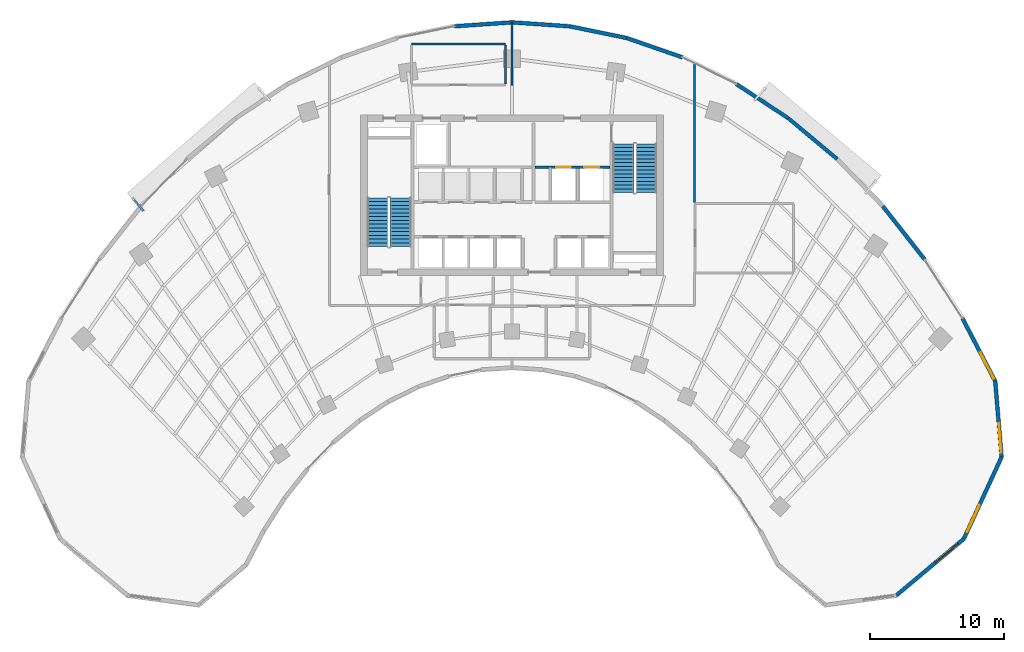
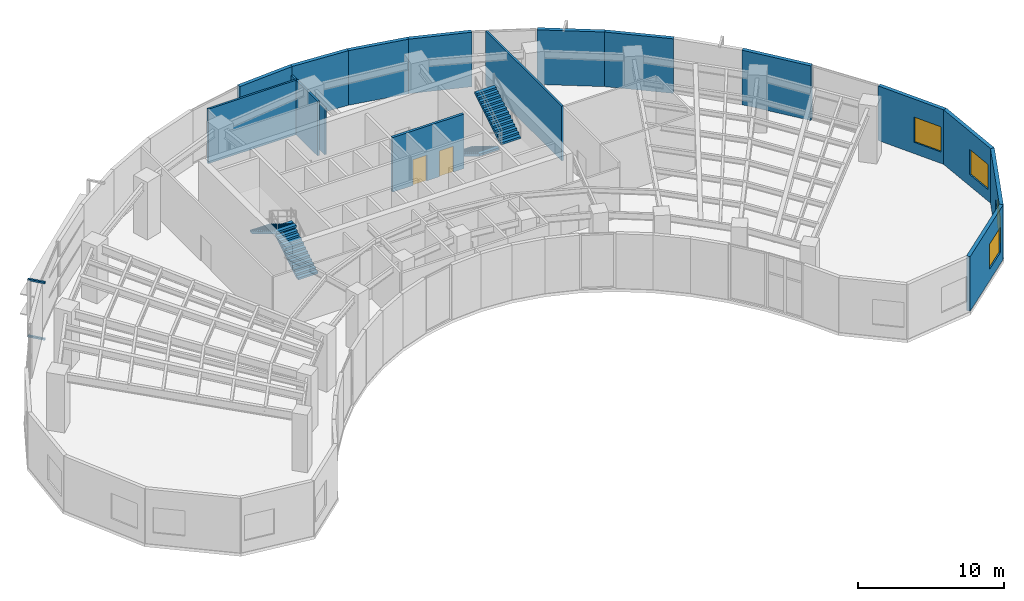
# One storey, part 11 of 15: 16 walls, 4 stair flights, 4 windows, 2 discrete accessories, 2 doors, 6 openings, 2 elements without a shape of their own.
"""IFC4 building model written with IfcOpenShell, lengths in metres."""

from ifc_helpers import new_model, si_unit, direction, frame, frame_2d, origin, origin_2d, place, context, subcontext, project, spatial, polyline, rectangle, outline, extrude, source, transform, mapped, material, layer, layer_set, type_object, type_shapes, element, fill, aggregate, save


model = new_model("IFC4")

# Units and contexts
model_context = context("Model", 3, precision=1e-05, world=origin(), true_north=direction((0.0, 1.0)))
body_context = subcontext(model_context, "Body", "Model", "MODEL_VIEW")
ifc_project = project(units=[si_unit("LENGTHUNIT", "METRE"), si_unit("AREAUNIT", "SQUARE_METRE"), si_unit("VOLUMEUNIT", "CUBIC_METRE"), si_unit("PLANEANGLEUNIT", "RADIAN"), si_unit("MASSUNIT", "GRAM", prefix="KILO")], contexts=[model_context])

# Site, building, storey
site_placement = place(None, origin())
site = spatial("IfcSite", under=ifc_project, at=site_placement, CompositionType="ELEMENT")
building_placement = place(site_placement, origin())
building = spatial("IfcBuilding", under=site, at=building_placement, Name="Breltana Convention Tower", CompositionType="ELEMENT")
storey_placement = place(building_placement, frame((0.0, 0.0, 91.199951171875)))
storey = spatial("IfcBuildingStorey", under=building, at=storey_placement, Name="L21", CompositionType="ELEMENT", Elevation=91.199951171875)

# Wall, opening, window
ifc_material_1 = material(Name="Limestone Buff Insulated Wall", Category="masonry")
ifc_layer_1 = layer(ifc_material_1, 0.280029296875, Name="Limestone Buff Insulated Wall")
ifc_layer_set_1 = layer_set([ifc_layer_1], Name="Limestone Buff Insulated Wall")
wall_type_1 = type_object("IfcWallType", Name="WL-EXT-NOSE-280", PredefinedType="SOLIDWALL", material=ifc_layer_set_1)
shared_shape_1 = source(origin(), body_context, "Body", "SweptSolid", [
    extrude(rectangle(XDim=5.673583984375, YDim=0.280029296875, at=frame_2d((2.8369140625, 0.0))), origin(), (0.0, 0.0, 1.0), 4.550048828125),
])
wall_1_placement = place(storey_placement, frame((84.07763671875, 52.305419921875, 0.0), z_axis=(0.0, 0.0, 1.0), x_axis=(0.083309007867, -0.996523762491, 0.0)))
wall_1 = element("IfcWall", 1, at=wall_1_placement, inside=storey, type_object=wall_type_1, Name="L21 curved limestone nose wall E1", PredefinedType="SOLIDWALL", context=body_context, shape_type="MappedRepresentation", body=[
    mapped(shared_shape_1, transform((0.0, 0.0, 0.0), scale=1.0)),
])
opening_1_placement = place(wall_1_placement, frame((3.155029296875, 0.0, 0.949951171875)))
opening_1 = element("IfcOpeningElement", 2, at=opening_1_placement, cuts=wall_1, Name="Opening W-03", PredefinedType="OPENING", context=body_context, shape_type="SweptSolid", body=[
    extrude(rectangle(XDim=2.199951171875, YDim=2.10009765625, at=frame_2d((1.10009765625, 1.050048828125))), frame((0.0, 0.14990234375, 0.0), z_axis=(0.0, -1.0, 0.0), x_axis=(1.0, 0.0, 0.0)), (0.0, 0.0, 1.0), 0.300048828125),
])
ifc_material_2 = material(Name="Glass Low-E Insulated Window", Category="glass")
window_type = type_object("IfcWindowType", Name="WN-NOSE-2200X2100", PartitioningType="TRIPLE_PANEL_VERTICAL", PredefinedType="WINDOW", material=ifc_material_2)
shared_shape_2 = source(origin(), body_context, "Body", "SweptSolid", [
    extrude(rectangle(XDim=2.199951171875, YDim=2.10009765625, at=frame_2d((1.10009765625, 1.050048828125))), frame((0.0, 0.030029296875, 0.0), z_axis=(0.0, -1.0, 0.0), x_axis=(1.0, 0.0, 0.0)), (0.0, 0.0, 1.0), 0.06005859375),
])
type_shapes(window_type, [shared_shape_2])
window_1_placement = place(opening_1_placement, origin())
window_1 = element("IfcWindow", 3, at=window_1_placement, inside=storey, type_object=window_type, Name="L21 nose window E1", OverallHeight=2.10009765625, OverallWidth=2.199951171875, PartitioningType="TRIPLE_PANEL_VERTICAL", PredefinedType="WINDOW", context=body_context, shape_type="MappedRepresentation", body=[
    mapped(shared_shape_2, transform((0.0, 0.0, 0.0), scale=1.0)),
])
fill(opening_1, window_1)

shared_shape_3 = source(origin(), body_context, "Body", "SweptSolid", [
    extrude(rectangle(XDim=6.731689453125, YDim=0.280029296875, at=frame_2d((3.36572265625, 0.0))), origin(), (0.0, 0.0, 1.0), 4.550048828125),
])
wall_2_placement = place(storey_placement, frame((84.55029296875, 46.651611328125, 0.0), z_axis=(0.0, 0.0, 1.0), x_axis=(-0.419644552709, -0.907688520023, 0.0)))
wall_2 = element("IfcWall", 4, at=wall_2_placement, inside=storey, type_object=wall_type_1, Name="L21 curved limestone nose wall E2", PredefinedType="SOLIDWALL", context=body_context, shape_type="MappedRepresentation", body=[
    mapped(shared_shape_3, transform((0.0, 0.0, 0.0), scale=1.0)),
])
opening_2_placement = place(wall_2_placement, frame((3.948974609375, 0.0, 0.949951171875)))
opening_2 = element("IfcOpeningElement", 5, at=opening_2_placement, cuts=wall_2, Name="Opening W-03", PredefinedType="OPENING", context=body_context, shape_type="SweptSolid", body=[
    extrude(rectangle(XDim=2.199951171875, YDim=2.10009765625, at=frame_2d((1.10009765625, 1.050048828125))), frame((0.0, 0.14990234375, 0.0), z_axis=(0.0, -1.0, 0.0), x_axis=(1.0, 0.0, 0.0)), (0.0, 0.0, 1.0), 0.300048828125),
])
window_2_placement = place(opening_2_placement, origin())
window_2 = element("IfcWindow", 6, at=window_2_placement, inside=storey, type_object=window_type, Name="L21 nose window E2", OverallHeight=2.10009765625, OverallWidth=2.199951171875, PartitioningType="TRIPLE_PANEL_VERTICAL", PredefinedType="WINDOW", context=body_context, shape_type="MappedRepresentation", body=[
    mapped(shared_shape_2, transform((0.0, 0.0, 0.0), scale=1.0)),
])
fill(opening_2, window_2)

shared_shape_4 = source(origin(), body_context, "Body", "SweptSolid", [
    extrude(rectangle(XDim=6.572998046875, YDim=0.280029296875, at=frame_2d((3.28662109375, 0.0))), origin(), (0.0, 0.0, 1.0), 4.550048828125),
])
wall_3_placement = place(storey_placement, frame((81.725341796875, 40.541259765625, 0.0), z_axis=(0.0, 0.0, 1.0), x_axis=(-0.766715154163, -0.641987439423, 0.0)))
wall_3 = element("IfcWall", 7, at=wall_3_placement, inside=storey, type_object=wall_type_1, Name="L21 curved limestone nose wall E3", PredefinedType="SOLIDWALL", context=body_context, shape_type="MappedRepresentation", body=[
    mapped(shared_shape_4, transform((0.0, 0.0, 0.0), scale=1.0)),
])
opening_3_placement = place(wall_3_placement, frame((0.543212890625, 0.0, 0.949951171875)))
opening_3 = element("IfcOpeningElement", 8, at=opening_3_placement, cuts=wall_3, Name="Opening W-03", PredefinedType="OPENING", context=body_context, shape_type="SweptSolid", body=[
    extrude(rectangle(XDim=2.199951171875, YDim=2.10009765625, at=frame_2d((1.10009765625, 1.050048828125))), frame((0.0, 0.14990234375, 0.0), z_axis=(0.0, -1.0, 0.0), x_axis=(1.0, 0.0, 0.0)), (0.0, 0.0, 1.0), 0.300048828125),
])
window_3_placement = place(opening_3_placement, origin())
window_3 = element("IfcWindow", 9, at=window_3_placement, inside=storey, type_object=window_type, Name="L21 nose window E3", OverallHeight=2.10009765625, OverallWidth=2.199951171875, PartitioningType="TRIPLE_PANEL_VERTICAL", PredefinedType="WINDOW", context=body_context, shape_type="MappedRepresentation", body=[
    mapped(shared_shape_2, transform((0.0, 0.0, 0.0), scale=1.0)),
])
fill(opening_3, window_3)

shared_shape_5 = source(origin(), body_context, "Body", "SweptSolid", [
    extrude(rectangle(XDim=5.315185546875, YDim=0.280029296875, at=frame_2d((2.65771484375, 0.0))), origin(), (0.0, 0.0, 1.0), 4.550048828125),
])
wall_4_placement = place(storey_placement, frame((81.623291015625, 57.02001953125, 0.0), z_axis=(0.0, 0.0, 1.0), x_axis=(0.461760527822, -0.887004630735, 0.0)))
wall_4 = element("IfcWall", 10, at=wall_4_placement, inside=storey, type_object=wall_type_1, Name="L21 curved limestone nose wall E33", PredefinedType="SOLIDWALL", context=body_context, shape_type="MappedRepresentation", body=[
    mapped(shared_shape_5, transform((0.0, 0.0, 0.0), scale=1.0)),
])
opening_4_placement = place(wall_4_placement, frame((2.886474609375, 0.0, 0.949951171875)))
opening_4 = element("IfcOpeningElement", 11, at=opening_4_placement, cuts=wall_4, Name="Opening W-03", PredefinedType="OPENING", context=body_context, shape_type="SweptSolid", body=[
    extrude(rectangle(XDim=2.199951171875, YDim=2.10009765625, at=frame_2d((1.10009765625, 1.050048828125))), frame((0.0, 0.14990234375, 0.0), z_axis=(0.0, -1.0, 0.0), x_axis=(1.0, 0.0, 0.0)), (0.0, 0.0, 1.0), 0.300048828125),
])
window_4_placement = place(opening_4_placement, origin())
window_4 = element("IfcWindow", 12, at=window_4_placement, inside=storey, type_object=window_type, Name="L21 nose window E33", OverallHeight=2.10009765625, OverallWidth=2.199951171875, PartitioningType="TRIPLE_PANEL_VERTICAL", PredefinedType="WINDOW", context=body_context, shape_type="MappedRepresentation", body=[
    mapped(shared_shape_2, transform((0.0, 0.0, 0.0), scale=1.0)),
])
fill(opening_4, window_4)

# Walls
shared_shape_6 = source(origin(), body_context, "Body", "SweptSolid", [
    extrude(rectangle(XDim=5.05810546875, YDim=0.280029296875, at=frame_2d((2.529052734375, 0.0))), origin(), (0.0, 0.0, 1.0), 4.550048828125),
])
wall_5_placement = place(storey_placement, frame((75.684814453125, 65.37646484375, 0.0), z_axis=(0.0, 0.0, 1.0), x_axis=(0.618145507434, -0.786063694391, 0.0)))
element("IfcWall", 13, at=wall_5_placement, inside=storey, type_object=wall_type_1, Name="L21 curved limestone nose wall E32", PredefinedType="SOLIDWALL", context=body_context, shape_type="MappedRepresentation", body=[
    mapped(shared_shape_6, transform((0.0, 0.0, 0.0), scale=1.0)),
])
shared_shape_7 = source(origin(), body_context, "Body", "SweptSolid", [
    extrude(rectangle(XDim=4.76220703125, YDim=0.280029296875, at=frame_2d((2.381103515625, 0.0))), origin(), (0.0, 0.0, 1.0), 4.550048828125),
])
wall_6_placement = place(storey_placement, frame((68.6181640625, 71.957763671875, 0.0), z_axis=(0.0, 0.0, 1.0), x_axis=(0.767952279762, -0.640507061638, 0.0)))
element("IfcWall", 14, at=wall_6_placement, inside=storey, type_object=wall_type_1, Name="L21 curved limestone nose wall E30", PredefinedType="SOLIDWALL", context=body_context, shape_type="MappedRepresentation", body=[
    mapped(shared_shape_7, transform((0.0, 0.0, 0.0), scale=1.0)),
])
shared_shape_8 = source(origin(), body_context, "Body", "SweptSolid", [
    extrude(rectangle(XDim=4.625732421875, YDim=0.280029296875, at=frame_2d((2.31298828125, 0.0))), origin(), (0.0, 0.0, 1.0), 4.550048828125),
])
wall_7_placement = place(storey_placement, frame((64.751220703125, 74.496337890625, 0.0), z_axis=(0.0, 0.0, 1.0), x_axis=(0.83595938331, -0.548791316855, 0.0)))
element("IfcWall", 15, at=wall_7_placement, inside=storey, type_object=wall_type_1, Name="L21 curved limestone nose wall E29", PredefinedType="SOLIDWALL", context=body_context, shape_type="MappedRepresentation", body=[
    mapped(shared_shape_8, transform((0.0, 0.0, 0.0), scale=1.0)),
])
shared_shape_9 = source(origin(), body_context, "Body", "SweptSolid", [
    extrude(rectangle(XDim=4.408935546875, YDim=0.280029296875, at=frame_2d((2.20458984375, 0.0))), origin(), (0.0, 0.0, 1.0), 4.550048828125),
])
wall_8_placement = place(storey_placement, frame((56.54833984375, 77.94091796875, 0.0), z_axis=(0.0, 0.0, 1.0), x_axis=(0.944879374121, -0.327418643881, 0.0)))
element("IfcWall", 16, at=wall_8_placement, inside=storey, type_object=wall_type_1, Name="L21 curved limestone nose wall E28", PredefinedType="SOLIDWALL", context=body_context, shape_type="MappedRepresentation", body=[
    mapped(shared_shape_9, transform((0.0, 0.0, 0.0), scale=1.0)),
])
shared_shape_10 = source(origin(), body_context, "Body", "SweptSolid", [
    extrude(rectangle(XDim=4.3056640625, YDim=0.280029296875, at=frame_2d((2.15283203125, 0.0))), origin(), (0.0, 0.0, 1.0), 4.550048828125),
])
for number, where, z_axis, x_axis, name in (
    (17, (43.7041015625, 78.81298828125, 0.0), (0.0, 0.0, 1.0), (0.997705679258, 0.067700646797, 0.0), "L21 curved limestone nose wall E25"),
    (18, (48.0, 79.1044921875, 0.0), (0.0, 0.0, 1.0), (0.997705679258, -0.067700646797, 0.0), "L21 curved limestone nose wall E26"),
):
    element("IfcWall", number, at=place(storey_placement, frame(where, z_axis=z_axis, x_axis=x_axis)), inside=storey, type_object=wall_type_1, Name=name, PredefinedType="SOLIDWALL", context=body_context, shape_type="MappedRepresentation", body=[
        mapped(shared_shape_10, transform((0.0, 0.0, 0.0), scale=1.0)),
    ])
shared_shape_11 = source(origin(), body_context, "Body", "SweptSolid", [
    extrude(rectangle(XDim=4.3408203125, YDim=0.280029296875, at=frame_2d((2.17041015625, 0.0))), origin(), (0.0, 0.0, 1.0), 4.550048828125),
])
wall_9_placement = place(storey_placement, frame((52.2958984375, 78.81298828125, 0.0), z_axis=(0.0, 0.0, 1.0), x_axis=(0.979612918634, -0.20089432457, 0.0)))
element("IfcWall", 19, at=wall_9_placement, inside=storey, type_object=wall_type_1, Name="L21 curved limestone nose wall E27", PredefinedType="SOLIDWALL", context=body_context, shape_type="MappedRepresentation", body=[
    mapped(shared_shape_11, transform((0.0, 0.0, 0.0), scale=1.0)),
])

# Wall, openings, doors
ifc_material_3 = material(Name="Autoclaved Aerated Concrete Block", Category="concrete")
ifc_layer_2 = layer(ifc_material_3, 0.199951171875, Name="Autoclaved Aerated Concrete Block")
ifc_layer_set_2 = layer_set([ifc_layer_2], Name="Autoclaved Aerated Concrete Block")
wall_type_2 = type_object("IfcWallType", Name="WL-SHAFT-200", PredefinedType="SOLIDWALL", material=ifc_layer_set_2)
shared_shape_12 = source(origin(), body_context, "Body", "SweptSolid", [
    extrude(rectangle(XDim=5.6201171875, YDim=0.199951171875, at=frame_2d((2.81005859375, 0.0))), origin(), (0.0, 0.0, 1.0), 4.550048828125),
])
wall_10_placement = place(storey_placement, frame((49.699951171875, 68.300048828125, 0.0), z_axis=(0.0, 0.0, 1.0), x_axis=(1.0, 0.0, 0.0)))
wall_10 = element("IfcWall", 20, at=wall_10_placement, inside=storey, type_object=wall_type_2, Name="L21 interior partition W-L21-FFL-S", PredefinedType="SOLIDWALL", context=body_context, shape_type="MappedRepresentation", body=[
    mapped(shared_shape_12, transform((0.0, 0.0, 0.0), scale=1.0)),
])
opening_5_placement = place(wall_10_placement, frame((1.60009765625, 0.0, 0.0)))
opening_5 = element("IfcOpeningElement", 21, at=opening_5_placement, cuts=wall_10, Name="Opening LD-03", PredefinedType="OPENING", context=body_context, shape_type="SweptSolid", body=[
    extrude(rectangle(XDim=1.10009765625, YDim=2.14990234375, at=frame_2d((0.550048828125, 1.074951171875))), frame((0.0, 0.10986328125, 0.0), z_axis=(0.0, -1.0, 0.0), x_axis=(1.0, 0.0, 0.0)), (0.0, 0.0, 1.0), 0.219970703125),
])
opening_6_placement = place(wall_10_placement, frame((3.699951171875, 0.0, 0.0)))
opening_6 = element("IfcOpeningElement", 22, at=opening_6_placement, cuts=wall_10, Name="Opening LD-03", PredefinedType="OPENING", context=body_context, shape_type="SweptSolid", body=[
    extrude(rectangle(XDim=1.10009765625, YDim=2.14990234375, at=frame_2d((0.550048828125, 1.074951171875))), frame((0.0, 0.10986328125, 0.0), z_axis=(0.0, -1.0, 0.0), x_axis=(1.0, 0.0, 0.0)), (0.0, 0.0, 1.0), 0.219970703125),
])
ifc_material_4 = material(Name="Stainless Steel Brushed", Category="steel")
door_type = type_object("IfcDoorType", Name="DR-LD-FF-1100", OperationType="DOUBLE_DOOR_SLIDING", PredefinedType="DOOR", material=ifc_material_4)
shared_shape_13 = source(origin(), body_context, "Body", "SweptSolid", [
    extrude(rectangle(XDim=1.10009765625, YDim=2.14990234375, at=frame_2d((0.550048828125, 1.074951171875))), frame((0.0, 0.02490234375, 0.0), z_axis=(0.0, -1.0, 0.0), x_axis=(1.0, 0.0, 0.0)), (0.0, 0.0, 1.0), 0.050048828125),
])
type_shapes(door_type, [shared_shape_13])
door_1_placement = place(opening_5_placement, origin())
door_1 = element("IfcDoor", 23, at=door_1_placement, inside=storey, type_object=door_type, Name="L21 Lift Landing Door D-L21-LD-FL1", OperationType="DOUBLE_DOOR_SLIDING", OverallHeight=2.14990234375, OverallWidth=1.10009765625, PredefinedType="DOOR", context=body_context, shape_type="MappedRepresentation", body=[
    mapped(shared_shape_13, transform((0.0, 0.0, 0.0), scale=1.0)),
])
fill(opening_5, door_1)
door_2_placement = place(opening_6_placement, origin())
door_2 = element("IfcDoor", 24, at=door_2_placement, inside=storey, type_object=door_type, Name="L21 Lift Landing Door D-L21-LD-FL2", OperationType="DOUBLE_DOOR_SLIDING", OverallHeight=2.14990234375, OverallWidth=1.10009765625, PredefinedType="DOOR", context=body_context, shape_type="MappedRepresentation", body=[
    mapped(shared_shape_13, transform((0.0, 0.0, 0.0), scale=1.0)),
])
fill(opening_6, door_2)

# Walls
ifc_material_5 = material(Name="Gypsum Acoustic Drywall Partition")
ifc_layer_3 = layer(ifc_material_5, 0.14990234375, Name="Gypsum Acoustic Drywall Partition")
ifc_layer_set_3 = layer_set([ifc_layer_3], Name="Gypsum Acoustic Drywall Partition")
wall_type_3 = type_object("IfcWallType", Name="WL-PART-150", PredefinedType="PARTITIONING", material=ifc_layer_set_3)
shared_shape_14 = source(origin(), body_context, "Body", "SweptSolid", [
    extrude(rectangle(XDim=7.0, YDim=0.14990234375, at=frame_2d((3.5, 0.0))), origin(), (0.0, 0.0, 1.0), 4.550048828125),
])
wall_11_placement = place(storey_placement, frame((40.5, 77.5, 0.0), z_axis=(0.0, 0.0, 1.0), x_axis=(1.0, 0.0, 0.0)))
element("IfcWall", 25, at=wall_11_placement, inside=storey, type_object=wall_type_3, Name="L21 interior partition W-L21-SMTG-N", PredefinedType="PARTITIONING", context=body_context, shape_type="MappedRepresentation", body=[
    mapped(shared_shape_14, transform((0.0, 0.0, 0.0), scale=1.0)),
])
shared_shape_15 = source(origin(), body_context, "Body", "SweptSolid", [
    extrude(rectangle(XDim=2.925048828125, YDim=0.14990234375, at=frame_2d((1.46240234375, 0.0))), origin(), (0.0, 0.0, 1.0), 4.550048828125),
])
wall_12_placement = place(storey_placement, frame((47.5, 74.507568359375, 0.0), z_axis=(0.0, 0.0, 1.0), x_axis=(0.0, 1.0, 0.0)))
element("IfcWall", 26, at=wall_12_placement, inside=storey, type_object=wall_type_3, Name="L21 interior partition W-L21-SMTG-E", PredefinedType="PARTITIONING", context=body_context, shape_type="MappedRepresentation", body=[
    mapped(shared_shape_15, transform((0.0, 0.0, 0.0), scale=1.0)),
])
shared_shape_16 = source(origin(), body_context, "Body", "SweptSolid", [
    extrude(rectangle(XDim=4.714599609375, YDim=0.14990234375, at=frame_2d((2.357421875, 0.0))), origin(), (0.0, 0.0, 1.0), 3.842041015625),
])
wall_13_placement = place(storey_placement, frame((48.0, 74.3798828125, 0.0), z_axis=(0.0, 0.0, 1.0), x_axis=(0.0, 1.0, 0.0)))
element("IfcWall", 27, at=wall_13_placement, inside=storey, type_object=wall_type_3, Name="L21 interior partition W-L21-L21-MN", PredefinedType="PARTITIONING", context=body_context, shape_type="MappedRepresentation", body=[
    mapped(shared_shape_16, transform((0.0, 0.0, 0.0), scale=1.0)),
])
shared_shape_17 = source(origin(), body_context, "Body", "SweptSolid", [
    extrude(rectangle(XDim=10.37744140625, YDim=0.14990234375, at=frame_2d((5.188720703125, 0.0))), origin(), (0.0, 0.0, 1.0), 4.550048828125),
])
wall_14_placement = place(storey_placement, frame((61.639892578125, 65.64990234375, 0.0), z_axis=(0.0, 0.0, 1.0), x_axis=(0.0, 1.0, 0.0)))
element("IfcWall", 28, at=wall_14_placement, inside=storey, type_object=wall_type_3, Name="L21 interior partition W-L21-L21-EN", PredefinedType="PARTITIONING", context=body_context, shape_type="MappedRepresentation", body=[
    mapped(shared_shape_17, transform((0.0, 0.0, 0.0), scale=1.0)),
])

# Stair, stair flights
ifc_material_6 = material(Name="Concrete C40/50", Category="concrete")
stair_type = type_object("IfcStairType", Name="ST-DOG-1560-R171", PredefinedType="HALF_TURN_STAIR", material=ifc_material_6)
stair_1_placement = place(storey_placement, origin())
stair_1 = element("IfcStair", 29, at=stair_1_placement, inside=storey, type_object=stair_type, Name="L21 Protected Core Exit Stair ST-1", PredefinedType="HALF_TURN_STAIR")
stair_flight_type = type_object("IfcStairFlightType", Name="STF-DOG-1560-N14-R171", PredefinedType="STRAIGHT", material=ifc_material_6)
stair_flight_1_placement = place(storey_placement, frame((39.68994140625, 62.360107421875, 0.0), z_axis=(0.0, 0.0, 1.0), x_axis=(0.0, 1.0, 0.0)))
stair_flight_1 = element("IfcStairFlight", 30, at=stair_flight_1_placement, type_object=stair_flight_type, Name="ST-1 flight 1", NumberOfRisers=14, NumberOfTreads=13, PredefinedType="STRAIGHT", RiserHeight=0.171428571, TreadLength=0.28, context=body_context, shape_type="SweptSolid", body=[
    extrude(outline(polyline([(0.0, 0.0), (0.0, 0.17138671875), (0.280029296875, 0.17138671875), (0.280029296875, 0.3427734375), (0.56005859375, 0.3427734375), (0.56005859375, 0.514404296875), (0.840087890625, 0.514404296875), (0.840087890625, 0.685791015625), (1.1201171875, 0.685791015625), (1.1201171875, 0.857177734375), (1.39990234375, 0.857177734375), (1.39990234375, 1.028564453125), (1.679931640625, 1.028564453125), (1.679931640625, 1.199951171875), (1.9599609375, 1.199951171875), (1.9599609375, 1.371337890625), (2.239990234375, 1.371337890625), (2.239990234375, 1.54296875), (2.52001953125, 1.54296875), (2.52001953125, 1.71435546875), (2.800048828125, 1.71435546875), (2.800048828125, 1.8857421875), (3.080078125, 1.8857421875), (3.080078125, 2.05712890625), (3.360107421875, 2.05712890625), (3.360107421875, 2.228515625), (3.639892578125, 2.228515625), (3.639892578125, 2.39990234375), (3.639892578125, 2.052734375), (0.287109375, 0.0), (0.0, 0.0)])), frame((0.0, 0.780029296875, 0.0), z_axis=(0.0, -1.0, 0.0), x_axis=(1.0, 0.0, 0.0)), (0.0, 0.0, 1.0), 1.56005859375),
])
stair_flight_2_placement = place(storey_placement, frame((37.97998046875, 66.0, 2.400146484375), z_axis=(0.0, 0.0, 1.0), x_axis=(0.0, -1.0, 0.0)))
stair_flight_2 = element("IfcStairFlight", 31, at=stair_flight_2_placement, type_object=stair_flight_type, Name="ST-1 flight 2", NumberOfRisers=14, NumberOfTreads=13, PredefinedType="STRAIGHT", RiserHeight=0.171428571, TreadLength=0.28, context=body_context, shape_type="SweptSolid", body=[
    extrude(outline(polyline([(0.0, 0.0), (0.0, 0.17138671875), (0.280029296875, 0.17138671875), (0.280029296875, 0.3427734375), (0.56005859375, 0.3427734375), (0.56005859375, 0.514404296875), (0.840087890625, 0.514404296875), (0.840087890625, 0.685791015625), (1.1201171875, 0.685791015625), (1.1201171875, 0.857177734375), (1.39990234375, 0.857177734375), (1.39990234375, 1.028564453125), (1.679931640625, 1.028564453125), (1.679931640625, 1.199951171875), (1.9599609375, 1.199951171875), (1.9599609375, 1.371337890625), (2.239990234375, 1.371337890625), (2.239990234375, 1.54296875), (2.52001953125, 1.54296875), (2.52001953125, 1.71435546875), (2.800048828125, 1.71435546875), (2.800048828125, 1.8857421875), (3.080078125, 1.8857421875), (3.080078125, 2.05712890625), (3.360107421875, 2.05712890625), (3.360107421875, 2.228515625), (3.639892578125, 2.228515625), (3.639892578125, 2.39990234375), (3.639892578125, 2.052734375), (0.287109375, 0.0), (0.0, 0.0)])), frame((0.0, 0.780029296875, 0.0), z_axis=(0.0, -1.0, 0.0), x_axis=(1.0, 0.0, 0.0)), (0.0, 0.0, 1.0), 1.56005859375),
])
aggregate(stair_1, [stair_flight_1, stair_flight_2])

stair_2_placement = place(storey_placement, origin())
stair_2 = element("IfcStair", 32, at=stair_2_placement, inside=storey, type_object=stair_type, Name="L21 Protected Core Exit Stair ST-2", PredefinedType="HALF_TURN_STAIR")
stair_flight_3_placement = place(storey_placement, frame((56.31005859375, 70.0400390625, 0.0), z_axis=(0.0, 0.0, 1.0), x_axis=(0.0, -1.0, 0.0)))
stair_flight_3 = element("IfcStairFlight", 33, at=stair_flight_3_placement, type_object=stair_flight_type, Name="ST-2 flight 1", NumberOfRisers=14, NumberOfTreads=13, PredefinedType="STRAIGHT", RiserHeight=0.171428571, TreadLength=0.28, context=body_context, shape_type="SweptSolid", body=[
    extrude(outline(polyline([(0.0, 0.0), (0.0, 0.17138671875), (0.280029296875, 0.17138671875), (0.280029296875, 0.3427734375), (0.56005859375, 0.3427734375), (0.56005859375, 0.514404296875), (0.840087890625, 0.514404296875), (0.840087890625, 0.685791015625), (1.1201171875, 0.685791015625), (1.1201171875, 0.857177734375), (1.39990234375, 0.857177734375), (1.39990234375, 1.028564453125), (1.679931640625, 1.028564453125), (1.679931640625, 1.199951171875), (1.9599609375, 1.199951171875), (1.9599609375, 1.371337890625), (2.239990234375, 1.371337890625), (2.239990234375, 1.54296875), (2.52001953125, 1.54296875), (2.52001953125, 1.71435546875), (2.800048828125, 1.71435546875), (2.800048828125, 1.8857421875), (3.080078125, 1.8857421875), (3.080078125, 2.05712890625), (3.360107421875, 2.05712890625), (3.360107421875, 2.228515625), (3.639892578125, 2.228515625), (3.639892578125, 2.39990234375), (3.639892578125, 2.052734375), (0.287109375, 0.0), (0.0, 0.0)])), frame((0.0, 0.780029296875, 0.0), z_axis=(0.0, -1.0, 0.0), x_axis=(1.0, 0.0, 0.0)), (0.0, 0.0, 1.0), 1.56005859375),
])
stair_flight_4_placement = place(storey_placement, frame((58.02001953125, 66.39990234375, 2.400146484375), z_axis=(0.0, 0.0, 1.0), x_axis=(0.0, 1.0, 0.0)))
stair_flight_4 = element("IfcStairFlight", 34, at=stair_flight_4_placement, type_object=stair_flight_type, Name="ST-2 flight 2", NumberOfRisers=14, NumberOfTreads=13, PredefinedType="STRAIGHT", RiserHeight=0.171428571, TreadLength=0.28, context=body_context, shape_type="SweptSolid", body=[
    extrude(outline(polyline([(0.0, 0.0), (0.0, 0.17138671875), (0.280029296875, 0.17138671875), (0.280029296875, 0.3427734375), (0.56005859375, 0.3427734375), (0.56005859375, 0.514404296875), (0.840087890625, 0.514404296875), (0.840087890625, 0.685791015625), (1.1201171875, 0.685791015625), (1.1201171875, 0.857177734375), (1.39990234375, 0.857177734375), (1.39990234375, 1.028564453125), (1.679931640625, 1.028564453125), (1.679931640625, 1.199951171875), (1.9599609375, 1.199951171875), (1.9599609375, 1.371337890625), (2.239990234375, 1.371337890625), (2.239990234375, 1.54296875), (2.52001953125, 1.54296875), (2.52001953125, 1.71435546875), (2.800048828125, 1.71435546875), (2.800048828125, 1.8857421875), (3.080078125, 1.8857421875), (3.080078125, 2.05712890625), (3.360107421875, 2.05712890625), (3.360107421875, 2.228515625), (3.639892578125, 2.228515625), (3.639892578125, 2.39990234375), (3.639892578125, 2.052734375), (0.287109375, 0.0), (0.0, 0.0)])), frame((0.0, 0.780029296875, 0.0), z_axis=(0.0, -1.0, 0.0), x_axis=(1.0, 0.0, 0.0)), (0.0, 0.0, 1.0), 1.56005859375),
])
aggregate(stair_2, [stair_flight_3, stair_flight_4])

# Discrete accessories
ifc_material_7 = material(Name="Steel S355", Category="steel")
discrete_accessory_type = type_object("IfcDiscreteAccessoryType", Name="ACC-DSF-BRACKET-150", PredefinedType="BRACKET", material=ifc_material_7)
shared_shape_18 = source(origin(), body_context, "Body", "SweptSolid", [
    extrude(rectangle(XDim=1.239990234375, YDim=0.14990234375, at=origin_2d()), origin(), (0.0, 0.0, 1.0), 0.139892578125),
])
type_shapes(discrete_accessory_type, [shared_shape_18])
for number, where, z_axis, x_axis, name in (
    (35, (20.080322265625, 65.49853515625, -0.15966796875), (0.0, 0.0, 1.0), (-0.656454255701, 0.754365833115, 0.0), "L21 double-skin slab stand-off bracket 1.1B"),
    (36, (20.080322265625, 65.49853515625, 4.55029296875), (0.0, 0.0, 1.0), (-0.656454255701, 0.754365833115, 0.0), "L21 double-skin slab stand-off bracket 1.1T"),
):
    element("IfcDiscreteAccessory", number, at=place(storey_placement, frame(where, z_axis=z_axis, x_axis=x_axis)), inside=storey, type_object=discrete_accessory_type, Name=name, PredefinedType="BRACKET", context=body_context, shape_type="MappedRepresentation", body=[
        mapped(shared_shape_18, transform((0.0, 0.0, 0.0), scale=1.0)),
    ])

save(model, "model.ifc")
